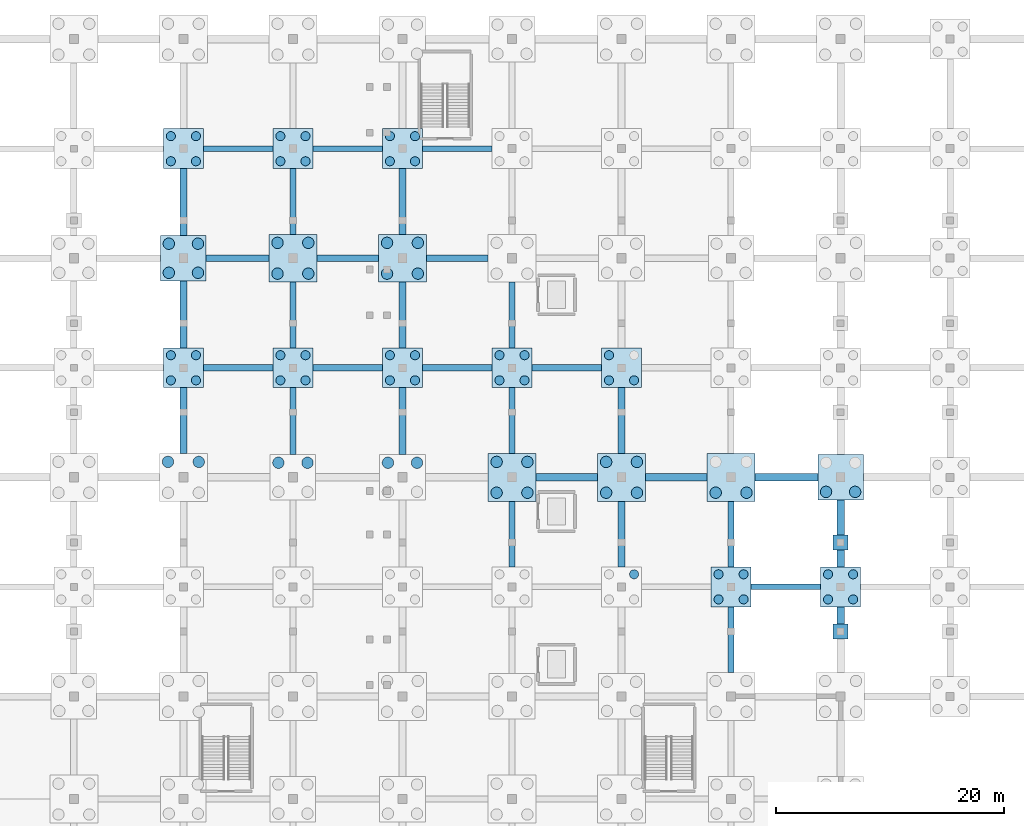
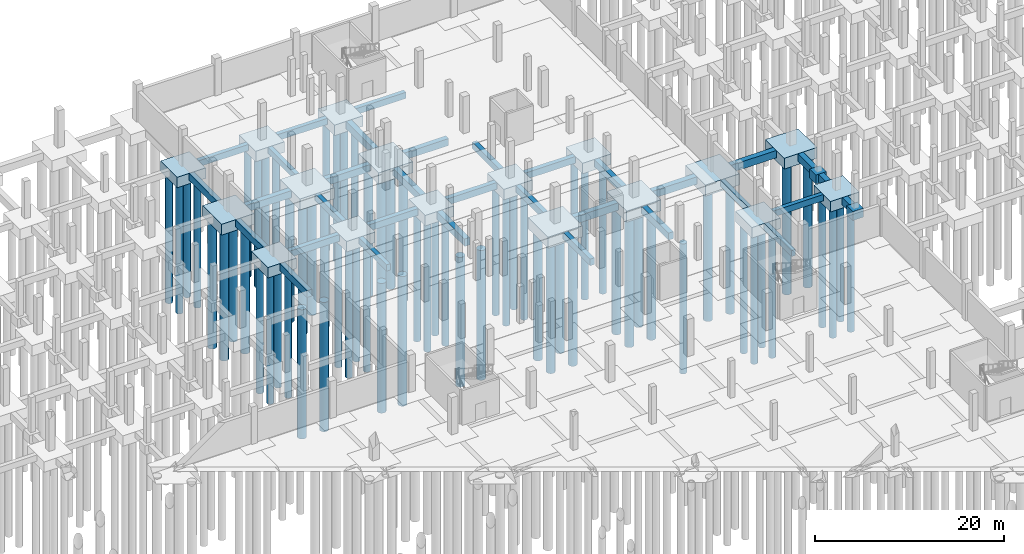
# One storey, part 10 of 39: 70 piles, 52 footings.
"""IFC4 building model written with IfcOpenShell, lengths in metres."""

from ifc_helpers import new_model, si_unit, direction, frame, origin, origin_2d, place, context, subcontext, project, spatial, polyline, rectangle, circle, outline, extrude, material, material_profile, profile_set, type_object, element, save


model = new_model("IFC4")

# Units and contexts
model_context = context("Model", 3, precision=1e-05, world=origin(), true_north=direction((0.0, 1.0)))
body_context = subcontext(model_context, "Body", "Model", "MODEL_VIEW")
ifc_project = project(units=[si_unit("LENGTHUNIT", "METRE"), si_unit("AREAUNIT", "SQUARE_METRE"), si_unit("VOLUMEUNIT", "CUBIC_METRE"), si_unit("PLANEANGLEUNIT", "RADIAN"), si_unit("MASSUNIT", "GRAM", prefix="KILO")], contexts=[model_context])

# Site, building, storey
site_placement = place(None, origin())
site = spatial("IfcSite", under=ifc_project, at=site_placement, CompositionType="ELEMENT")
building_placement = place(site_placement, origin())
building = spatial("IfcBuilding", under=site, at=building_placement, Name="Zarnetskaya Central Station", CompositionType="ELEMENT")
storey_placement = place(building_placement, frame((0.0, 0.0, -4.800048828125)))
storey = spatial("IfcBuildingStorey", under=building, at=storey_placement, Name="B1", CompositionType="ELEMENT", Elevation=-4.800048828125)

# Footings
ifc_material_1 = material(Name="Concrete C30/37", Category="concrete")
footing_type_1 = type_object("IfcFootingType", Name="FB-500x800", PredefinedType="FOOTING_BEAM", material=ifc_material_1)
footing_1_placement = place(storey_placement, frame((0.0, 0.0, -0.800048828125)))
element("IfcFooting", 1, at=footing_1_placement, inside=storey, type_object=footing_type_1, Name="Footing tie beam 10 N-P", PredefinedType="FOOTING_BEAM", context=body_context, shape_type="SweptSolid", body=[
    extrude(outline(polyline([(116.949951171875, 76.550048828125), (123.050048828125, 76.550048828125), (123.050048828125, 77.050048828125), (116.949951171875, 77.050048828125), (116.949951171875, 76.550048828125)])), origin(), (0.0, 0.0, 1.0), 0.800048828125),
])
footing_2_placement = place(storey_placement, frame((0.0, 0.0, -0.800048828125)))
element("IfcFooting", 2, at=footing_2_placement, inside=storey, type_object=footing_type_1, Name="Footing tie beam 14 H-J", PredefinedType="FOOTING_BEAM", context=body_context, shape_type="SweptSolid", body=[
    extrude(outline(polyline([(68.949951171875, 114.949951171875), (75.050048828125, 114.949951171875), (75.050048828125, 115.449951171875), (68.949951171875, 115.449951171875), (68.949951171875, 114.949951171875)])), origin(), (0.0, 0.0, 1.0), 0.800048828125),
])
footing_3_placement = place(storey_placement, frame((0.0, 0.0, -0.800048828125)))
element("IfcFooting", 3, at=footing_3_placement, inside=storey, type_object=footing_type_1, Name="Footing tie beam 14 J-K", PredefinedType="FOOTING_BEAM", context=body_context, shape_type="SweptSolid", body=[
    extrude(outline(polyline([(78.550048828125, 114.949951171875), (84.64990234375, 114.949951171875), (84.64990234375, 115.449951171875), (78.550048828125, 115.449951171875), (78.550048828125, 114.949951171875)])), origin(), (0.0, 0.0, 1.0), 0.800048828125),
])
footing_4_placement = place(storey_placement, frame((0.0, 0.0, -0.800048828125)))
element("IfcFooting", 4, at=footing_4_placement, inside=storey, type_object=footing_type_1, Name="Footing tie beam 14 K-L", PredefinedType="FOOTING_BEAM", context=body_context, shape_type="SweptSolid", body=[
    extrude(outline(polyline([(88.14990234375, 114.949951171875), (94.25, 114.949951171875), (94.25, 115.449951171875), (88.14990234375, 115.449951171875), (88.14990234375, 114.949951171875)])), origin(), (0.0, 0.0, 1.0), 0.800048828125),
])
footing_5_placement = place(storey_placement, frame((0.0, 0.0, -0.800048828125)))
element("IfcFooting", 5, at=footing_5_placement, inside=storey, type_object=footing_type_1, Name="Footing tie beam J 11-12", PredefinedType="FOOTING_BEAM", context=body_context, shape_type="SweptSolid", body=[
    extrude(outline(polyline([(76.550048828125, 88.39990234375), (77.050048828125, 88.39990234375), (77.050048828125, 94.25), (76.550048828125, 94.25), (76.550048828125, 88.39990234375)])), origin(), (0.0, 0.0, 1.0), 0.800048828125),
])
footing_6_placement = place(storey_placement, frame((0.0, 0.0, -0.800048828125)))
element("IfcFooting", 6, at=footing_6_placement, inside=storey, type_object=footing_type_1, Name="Footing tie beam J 12-13", PredefinedType="FOOTING_BEAM", context=body_context, shape_type="SweptSolid", body=[
    extrude(outline(polyline([(76.550048828125, 97.75), (77.050048828125, 97.75), (77.050048828125, 103.5), (76.550048828125, 103.5), (76.550048828125, 97.75)])), origin(), (0.0, 0.0, 1.0), 0.800048828125),
])
footing_7_placement = place(storey_placement, frame((0.0, 0.0, -0.800048828125)))
element("IfcFooting", 7, at=footing_7_placement, inside=storey, type_object=footing_type_1, Name="Footing tie beam J 13-14", PredefinedType="FOOTING_BEAM", context=body_context, shape_type="SweptSolid", body=[
    extrude(outline(polyline([(76.550048828125, 107.699951171875), (77.050048828125, 107.699951171875), (77.050048828125, 113.449951171875), (76.550048828125, 113.449951171875), (76.550048828125, 107.699951171875)])), origin(), (0.0, 0.0, 1.0), 0.800048828125),
])
footing_8_placement = place(storey_placement, frame((0.0, 0.0, -0.800048828125)))
element("IfcFooting", 8, at=footing_8_placement, inside=storey, type_object=footing_type_1, Name="Footing tie beam N 9-10", PredefinedType="FOOTING_BEAM", context=body_context, shape_type="SweptSolid", body=[
    extrude(outline(polyline([(114.949951171875, 69.300048828125), (115.449951171875, 69.300048828125), (115.449951171875, 75.050048828125), (114.949951171875, 75.050048828125), (114.949951171875, 69.300048828125)])), origin(), (0.0, 0.0, 1.0), 0.800048828125),
])
footing_9_placement = place(storey_placement, frame((0.0, 0.0, -0.800048828125)))
element("IfcFooting", 9, at=footing_9_placement, inside=storey, type_object=footing_type_1, Name="Footing tie beam N 10-11", PredefinedType="FOOTING_BEAM", context=body_context, shape_type="SweptSolid", body=[
    extrude(outline(polyline([(114.949951171875, 78.550048828125), (115.449951171875, 78.550048828125), (115.449951171875, 84.300048828125), (114.949951171875, 84.300048828125), (114.949951171875, 78.550048828125)])), origin(), (0.0, 0.0, 1.0), 0.800048828125),
])
footing_type_2 = type_object("IfcFootingType", Name="FB-550x850", PredefinedType="FOOTING_BEAM", material=ifc_material_1)
footing_10_placement = place(storey_placement, frame((0.0, 0.0, -0.849853515625)))
element("IfcFooting", 10, at=footing_10_placement, inside=storey, type_object=footing_type_2, Name="Footing tie beam 12 H-J", PredefinedType="FOOTING_BEAM", context=body_context, shape_type="SweptSolid", body=[
    extrude(outline(polyline([(68.949951171875, 95.72509765625), (75.050048828125, 95.72509765625), (75.050048828125, 96.27490234375), (68.949951171875, 96.27490234375), (68.949951171875, 95.72509765625)])), origin(), (0.0, 0.0, 1.0), 0.849853515625),
])
footing_11_placement = place(storey_placement, frame((0.0, 0.0, -0.849853515625)))
element("IfcFooting", 11, at=footing_11_placement, inside=storey, type_object=footing_type_2, Name="Footing tie beam 12 J-K", PredefinedType="FOOTING_BEAM", context=body_context, shape_type="SweptSolid", body=[
    extrude(outline(polyline([(78.550048828125, 95.72509765625), (84.64990234375, 95.72509765625), (84.64990234375, 96.27490234375), (78.550048828125, 96.27490234375), (78.550048828125, 95.72509765625)])), origin(), (0.0, 0.0, 1.0), 0.849853515625),
])
footing_12_placement = place(storey_placement, frame((0.0, 0.0, -0.849853515625)))
element("IfcFooting", 12, at=footing_12_placement, inside=storey, type_object=footing_type_2, Name="Footing tie beam 12 K-L", PredefinedType="FOOTING_BEAM", context=body_context, shape_type="SweptSolid", body=[
    extrude(outline(polyline([(88.14990234375, 95.72509765625), (94.25, 95.72509765625), (94.25, 96.27490234375), (88.14990234375, 96.27490234375), (88.14990234375, 95.72509765625)])), origin(), (0.0, 0.0, 1.0), 0.849853515625),
])
footing_13_placement = place(storey_placement, frame((0.0, 0.0, -0.849853515625)))
element("IfcFooting", 13, at=footing_13_placement, inside=storey, type_object=footing_type_2, Name="Footing tie beam 12 L-M", PredefinedType="FOOTING_BEAM", context=body_context, shape_type="SweptSolid", body=[
    extrude(outline(polyline([(97.75, 95.72509765625), (103.85009765625, 95.72509765625), (103.85009765625, 96.27490234375), (97.75, 96.27490234375), (97.75, 95.72509765625)])), origin(), (0.0, 0.0, 1.0), 0.849853515625),
])
footing_14_placement = place(storey_placement, frame((0.0, 0.0, -0.849853515625)))
element("IfcFooting", 14, at=footing_14_placement, inside=storey, type_object=footing_type_2, Name="Footing tie beam L 10-11", PredefinedType="FOOTING_BEAM", context=body_context, shape_type="SweptSolid", body=[
    extrude(outline(polyline([(95.72509765625, 78.550048828125), (96.27490234375, 78.550048828125), (96.27490234375, 84.300048828125), (95.72509765625, 84.300048828125), (95.72509765625, 78.550048828125)])), origin(), (0.0, 0.0, 1.0), 0.849853515625),
])
footing_15_placement = place(storey_placement, frame((0.0, 0.0, -0.849853515625)))
element("IfcFooting", 15, at=footing_15_placement, inside=storey, type_object=footing_type_2, Name="Footing tie beam L 11-12", PredefinedType="FOOTING_BEAM", context=body_context, shape_type="SweptSolid", body=[
    extrude(outline(polyline([(95.72509765625, 88.5), (96.27490234375, 88.5), (96.27490234375, 94.25), (95.72509765625, 94.25), (95.72509765625, 88.5)])), origin(), (0.0, 0.0, 1.0), 0.849853515625),
])
footing_16_placement = place(storey_placement, frame((0.0, 0.0, -0.849853515625)))
element("IfcFooting", 16, at=footing_16_placement, inside=storey, type_object=footing_type_2, Name="Footing tie beam L 12-13", PredefinedType="FOOTING_BEAM", context=body_context, shape_type="SweptSolid", body=[
    extrude(outline(polyline([(95.72509765625, 97.75), (96.27490234375, 97.75), (96.27490234375, 103.5), (95.72509765625, 103.5), (95.72509765625, 97.75)])), origin(), (0.0, 0.0, 1.0), 0.849853515625),
])
footing_type_3 = type_object("IfcFootingType", Name="FB-600x900", PredefinedType="FOOTING_BEAM", material=ifc_material_1)
footing_17_placement = place(storey_placement, frame((0.0, 0.0, -0.89990234375)))
element("IfcFooting", 17, at=footing_17_placement, inside=storey, type_object=footing_type_3, Name="Footing tie beam 13 H-J", PredefinedType="FOOTING_BEAM", context=body_context, shape_type="SweptSolid", body=[
    extrude(outline(polyline([(69.199951171875, 105.300048828125), (74.699951171875, 105.300048828125), (74.699951171875, 105.89990234375), (69.199951171875, 105.89990234375), (69.199951171875, 105.300048828125)])), origin(), (0.0, 0.0, 1.0), 0.89990234375),
])
footing_18_placement = place(storey_placement, frame((0.0, 0.0, -0.89990234375)))
element("IfcFooting", 18, at=footing_18_placement, inside=storey, type_object=footing_type_3, Name="Footing tie beam 13 J-K", PredefinedType="FOOTING_BEAM", context=body_context, shape_type="SweptSolid", body=[
    extrude(outline(polyline([(78.89990234375, 105.300048828125), (84.300048828125, 105.300048828125), (84.300048828125, 105.89990234375), (78.89990234375, 105.89990234375), (78.89990234375, 105.300048828125)])), origin(), (0.0, 0.0, 1.0), 0.89990234375),
])
footing_19_placement = place(storey_placement, frame((0.0, 0.0, -0.89990234375)))
element("IfcFooting", 19, at=footing_19_placement, inside=storey, type_object=footing_type_3, Name="Footing tie beam 13 K-L", PredefinedType="FOOTING_BEAM", context=body_context, shape_type="SweptSolid", body=[
    extrude(outline(polyline([(88.5, 105.300048828125), (93.89990234375, 105.300048828125), (93.89990234375, 105.89990234375), (88.5, 105.89990234375), (88.5, 105.300048828125)])), origin(), (0.0, 0.0, 1.0), 0.89990234375),
])
footing_20_placement = place(storey_placement, frame((0.0, 0.0, -0.89990234375)))
element("IfcFooting", 20, at=footing_20_placement, inside=storey, type_object=footing_type_3, Name="Footing tie beam H 11-12", PredefinedType="FOOTING_BEAM", context=body_context, shape_type="SweptSolid", body=[
    extrude(outline(polyline([(66.89990234375, 88.5), (67.5, 88.5), (67.5, 94.25), (66.89990234375, 94.25), (66.89990234375, 88.5)])), origin(), (0.0, 0.0, 1.0), 0.89990234375),
])
footing_21_placement = place(storey_placement, frame((0.0, 0.0, -0.89990234375)))
element("IfcFooting", 21, at=footing_21_placement, inside=storey, type_object=footing_type_3, Name="Footing tie beam H 12-13", PredefinedType="FOOTING_BEAM", context=body_context, shape_type="SweptSolid", body=[
    extrude(outline(polyline([(66.89990234375, 97.75), (67.5, 97.75), (67.5, 103.60009765625), (66.89990234375, 103.60009765625), (66.89990234375, 97.75)])), origin(), (0.0, 0.0, 1.0), 0.89990234375),
])
footing_22_placement = place(storey_placement, frame((0.0, 0.0, -0.89990234375)))
element("IfcFooting", 22, at=footing_22_placement, inside=storey, type_object=footing_type_3, Name="Footing tie beam H 13-14", PredefinedType="FOOTING_BEAM", context=body_context, shape_type="SweptSolid", body=[
    extrude(outline(polyline([(66.89990234375, 107.60009765625), (67.5, 107.60009765625), (67.5, 113.449951171875), (66.89990234375, 113.449951171875), (66.89990234375, 107.60009765625)])), origin(), (0.0, 0.0, 1.0), 0.89990234375),
])
footing_23_placement = place(storey_placement, frame((0.0, 0.0, -0.89990234375)))
element("IfcFooting", 23, at=footing_23_placement, inside=storey, type_object=footing_type_3, Name="Footing tie beam M 10-11", PredefinedType="FOOTING_BEAM", context=body_context, shape_type="SweptSolid", body=[
    extrude(outline(polyline([(105.300048828125, 78.550048828125), (105.89990234375, 78.550048828125), (105.89990234375, 84.300048828125), (105.300048828125, 84.300048828125), (105.300048828125, 78.550048828125)])), origin(), (0.0, 0.0, 1.0), 0.89990234375),
])
footing_24_placement = place(storey_placement, frame((0.0, 0.0, -0.89990234375)))
element("IfcFooting", 24, at=footing_24_placement, inside=storey, type_object=footing_type_3, Name="Footing tie beam M 11-12", PredefinedType="FOOTING_BEAM", context=body_context, shape_type="SweptSolid", body=[
    extrude(outline(polyline([(105.300048828125, 88.5), (105.89990234375, 88.5), (105.89990234375, 94.25), (105.300048828125, 94.25), (105.300048828125, 88.5)])), origin(), (0.0, 0.0, 1.0), 0.89990234375),
])
footing_type_4 = type_object("IfcFootingType", Name="FB-650x950", PredefinedType="FOOTING_BEAM", material=ifc_material_1)
footing_25_placement = place(storey_placement, frame((0.0, 0.0, -0.949951171875)))
element("IfcFooting", 25, at=footing_25_placement, inside=storey, type_object=footing_type_4, Name="Footing tie beam 11 L-M", PredefinedType="FOOTING_BEAM", context=body_context, shape_type="SweptSolid", body=[
    extrude(outline(polyline([(98.10009765625, 86.074951171875), (103.5, 86.074951171875), (103.5, 86.72509765625), (98.10009765625, 86.72509765625), (98.10009765625, 86.074951171875)])), origin(), (0.0, 0.0, 1.0), 0.949951171875),
])
footing_26_placement = place(storey_placement, frame((0.0, 0.0, -0.949951171875)))
element("IfcFooting", 26, at=footing_26_placement, inside=storey, type_object=footing_type_4, Name="Footing tie beam 11 M-N", PredefinedType="FOOTING_BEAM", context=body_context, shape_type="SweptSolid", body=[
    extrude(outline(polyline([(107.699951171875, 86.074951171875), (113.10009765625, 86.074951171875), (113.10009765625, 86.72509765625), (107.699951171875, 86.72509765625), (107.699951171875, 86.074951171875)])), origin(), (0.0, 0.0, 1.0), 0.949951171875),
])
footing_27_placement = place(storey_placement, frame((0.0, 0.0, -0.949951171875)))
element("IfcFooting", 27, at=footing_27_placement, inside=storey, type_object=footing_type_4, Name="Footing tie beam 11 N-P", PredefinedType="FOOTING_BEAM", context=body_context, shape_type="SweptSolid", body=[
    extrude(outline(polyline([(117.300048828125, 86.074951171875), (122.800048828125, 86.074951171875), (122.800048828125, 86.72509765625), (117.300048828125, 86.72509765625), (117.300048828125, 86.074951171875)])), origin(), (0.0, 0.0, 1.0), 0.949951171875),
])
footing_28_placement = place(storey_placement, frame((0.0, 0.0, -0.949951171875)))
element("IfcFooting", 28, at=footing_28_placement, inside=storey, type_object=footing_type_4, Name="Footing tie beam K 11-12", PredefinedType="FOOTING_BEAM", context=body_context, shape_type="SweptSolid", body=[
    extrude(outline(polyline([(86.074951171875, 88.39990234375), (86.72509765625, 88.39990234375), (86.72509765625, 94.25), (86.074951171875, 94.25), (86.074951171875, 88.39990234375)])), origin(), (0.0, 0.0, 1.0), 0.949951171875),
])
footing_29_placement = place(storey_placement, frame((0.0, 0.0, -0.949951171875)))
element("IfcFooting", 29, at=footing_29_placement, inside=storey, type_object=footing_type_4, Name="Footing tie beam K 12-13", PredefinedType="FOOTING_BEAM", context=body_context, shape_type="SweptSolid", body=[
    extrude(outline(polyline([(86.074951171875, 97.75), (86.72509765625, 97.75), (86.72509765625, 103.5), (86.074951171875, 103.5), (86.074951171875, 97.75)])), origin(), (0.0, 0.0, 1.0), 0.949951171875),
])
footing_30_placement = place(storey_placement, frame((0.0, 0.0, -0.949951171875)))
element("IfcFooting", 30, at=footing_30_placement, inside=storey, type_object=footing_type_4, Name="Footing tie beam K 13-14", PredefinedType="FOOTING_BEAM", context=body_context, shape_type="SweptSolid", body=[
    extrude(outline(polyline([(86.074951171875, 107.699951171875), (86.72509765625, 107.699951171875), (86.72509765625, 113.449951171875), (86.074951171875, 113.449951171875), (86.074951171875, 107.699951171875)])), origin(), (0.0, 0.0, 1.0), 0.949951171875),
])
footing_31_placement = place(storey_placement, frame((0.0, 0.0, -0.949951171875)))
element("IfcFooting", 31, at=footing_31_placement, inside=storey, type_object=footing_type_4, Name="Footing tie beam P 9-10 part 2", PredefinedType="FOOTING_BEAM", context=body_context, shape_type="SweptSolid", body=[
    extrude(outline(polyline([(124.47509765625, 73.550048828125), (125.125, 73.550048828125), (125.125, 75.050048828125), (124.47509765625, 75.050048828125), (124.47509765625, 73.550048828125)])), origin(), (0.0, 0.0, 1.0), 0.949951171875),
])
footing_32_placement = place(storey_placement, frame((0.0, 0.0, -0.949951171875)))
element("IfcFooting", 32, at=footing_32_placement, inside=storey, type_object=footing_type_4, Name="Footing tie beam P 10-11 part 1", PredefinedType="FOOTING_BEAM", context=body_context, shape_type="SweptSolid", body=[
    extrude(outline(polyline([(124.47509765625, 78.550048828125), (125.125, 78.550048828125), (125.125, 80.050048828125), (124.47509765625, 80.050048828125), (124.47509765625, 78.550048828125)])), origin(), (0.0, 0.0, 1.0), 0.949951171875),
])
footing_33_placement = place(storey_placement, frame((0.0, 0.0, -0.949951171875)))
element("IfcFooting", 33, at=footing_33_placement, inside=storey, type_object=footing_type_4, Name="Footing tie beam P 10-11 part 2", PredefinedType="FOOTING_BEAM", context=body_context, shape_type="SweptSolid", body=[
    extrude(outline(polyline([(124.47509765625, 81.35009765625), (125.125, 81.35009765625), (125.125, 84.39990234375), (124.47509765625, 84.39990234375), (124.47509765625, 81.35009765625)])), origin(), (0.0, 0.0, 1.0), 0.949951171875),
])
ifc_material_2 = material(Name="Concrete C35/45", Category="concrete")
footing_type_5 = type_object("IfcFootingType", Name="PAD-PIER-130", PredefinedType="PAD_FOOTING", material=ifc_material_2)
for number, where, z_axis, x_axis, name in (
    (34, (124.800048828125, 72.89990234375, -1.14990234375), (0.0, 0.0, 1.0), (1.0, 0.0, 0.0), "Platform pier pad P1-PN"),
    (35, (124.800048828125, 80.699951171875, -1.14990234375), (0.0, 0.0, 1.0), (1.0, 0.0, 0.0), "Platform pier pad P2-PS"),
):
    element("IfcFooting", number, at=place(storey_placement, frame(where, z_axis=z_axis, x_axis=x_axis)), inside=storey, type_object=footing_type_5, Name=name, PredefinedType="PAD_FOOTING", context=body_context, shape_type="SweptSolid", body=[
        extrude(rectangle(XDim=1.300048828125, YDim=1.300048828125, at=origin_2d()), origin(), (0.0, 0.0, 1.0), 1.14990234375),
    ])
footing_type_6 = type_object("IfcFootingType", Name="PC-4P-1000A", PredefinedType="PILE_CAP", material=ifc_material_2)
for number, where, z_axis, x_axis, name in (
    (36, (76.800048828125, 105.60009765625, -1.44970703125), (0.0, 0.0, 1.0), (1.0, 0.0, 0.0), "Pile cap J13"),
    (37, (86.39990234375, 105.60009765625, -1.44970703125), (0.0, 0.0, 1.0), (1.0, 0.0, 0.0), "Pile cap K13"),
    (38, (96.0, 86.39990234375, -1.44970703125), (0.0, 0.0, 1.0), (1.0, 0.0, 0.0), "Pile cap L11"),
    (39, (105.60009765625, 86.39990234375, -1.44970703125), (0.0, 0.0, 1.0), (1.0, 0.0, 0.0), "Pile cap M11"),
    (40, (115.199951171875, 86.39990234375, -1.44970703125), (0.0, 0.0, 1.0), (1.0, 0.0, 0.0), "Pile cap N11"),
):
    element("IfcFooting", number, at=place(storey_placement, frame(where, z_axis=z_axis, x_axis=x_axis)), inside=storey, type_object=footing_type_6, Name=name, PredefinedType="PILE_CAP", context=body_context, shape_type="SweptSolid", body=[
        extrude(rectangle(XDim=4.199951171875, YDim=4.199951171875, at=origin_2d()), origin(), (0.0, 0.0, 1.0), 1.449951171875),
    ])
footing_type_7 = type_object("IfcFootingType", Name="PC-4P-1000B", PredefinedType="PILE_CAP", material=ifc_material_2)
for number, where, z_axis, x_axis, name in (
    (41, (67.199951171875, 105.60009765625, -1.39990234375), (0.0, 0.0, 1.0), (1.0, 0.0, 0.0), "Pile cap H13"),
    (42, (124.800048828125, 86.39990234375, -1.39990234375), (0.0, 0.0, 1.0), (1.0, 0.0, 0.0), "Pile cap P11"),
):
    element("IfcFooting", number, at=place(storey_placement, frame(where, z_axis=z_axis, x_axis=x_axis)), inside=storey, type_object=footing_type_7, Name=name, PredefinedType="PILE_CAP", context=body_context, shape_type="SweptSolid", body=[
        extrude(rectangle(XDim=4.0, YDim=4.0, at=origin_2d()), origin(), (0.0, 0.0, 1.0), 1.39990234375),
    ])
footing_type_8 = type_object("IfcFootingType", Name="PC-4P-800A", PredefinedType="PILE_CAP", material=ifc_material_2)
for number, where, z_axis, x_axis, name in (
    (43, (67.199951171875, 96.0, -1.35009765625), (0.0, 0.0, 1.0), (1.0, 0.0, 0.0), "Pile cap H12"),
    (44, (67.199951171875, 115.199951171875, -1.35009765625), (0.0, 0.0, 1.0), (1.0, 0.0, 0.0), "Pile cap H14"),
    (45, (76.800048828125, 96.0, -1.35009765625), (0.0, 0.0, 1.0), (1.0, 0.0, 0.0), "Pile cap J12"),
    (46, (76.800048828125, 115.199951171875, -1.35009765625), (0.0, 0.0, 1.0), (1.0, 0.0, 0.0), "Pile cap J14"),
    (47, (86.39990234375, 96.0, -1.35009765625), (0.0, 0.0, 1.0), (1.0, 0.0, 0.0), "Pile cap K12"),
    (48, (86.39990234375, 115.199951171875, -1.35009765625), (0.0, 0.0, 1.0), (1.0, 0.0, 0.0), "Pile cap K14"),
    (49, (96.0, 96.0, -1.35009765625), (0.0, 0.0, 1.0), (1.0, 0.0, 0.0), "Pile cap L12"),
    (50, (105.60009765625, 96.0, -1.35009765625), (0.0, 0.0, 1.0), (1.0, 0.0, 0.0), "Pile cap M12"),
    (51, (115.199951171875, 76.800048828125, -1.35009765625), (0.0, 0.0, 1.0), (1.0, 0.0, 0.0), "Pile cap N10"),
    (52, (124.800048828125, 76.800048828125, -1.35009765625), (0.0, 0.0, 1.0), (1.0, 0.0, 0.0), "Pile cap P10"),
):
    element("IfcFooting", number, at=place(storey_placement, frame(where, z_axis=z_axis, x_axis=x_axis)), inside=storey, type_object=footing_type_8, Name=name, PredefinedType="PILE_CAP", context=body_context, shape_type="SweptSolid", body=[
        extrude(rectangle(XDim=3.5, YDim=3.5, at=origin_2d()), origin(), (0.0, 0.0, 1.0), 1.35009765625),
    ])

# Piles
ifc_material_profile_1 = material_profile(ifc_material_2, circle(Radius=0.5, at=origin_2d()), Name="BORED PILE D1000")
ifc_profile_set_1 = profile_set([ifc_material_profile_1], Name="Concrete C35/45")
pile_type_1 = type_object("IfcPileType", Name="PILE-D1000", PredefinedType="BORED", material=ifc_profile_set_1)
for number, where, z_axis, x_axis, name in (
    (53, (65.85009765625, 87.75, -1.300048828125), (0.0, 0.0, -1.0), (1.0, 0.0, 0.0), "Bored pile H11-12"),
    (54, (68.550048828125, 87.75, -1.300048828125), (0.0, 0.0, -1.0), (1.0, 0.0, 0.0), "Bored pile H11-22"),
):
    element("IfcPile", number, at=place(storey_placement, frame(where, z_axis=z_axis, x_axis=x_axis)), inside=storey, type_object=pile_type_1, Name=name, PredefinedType="BORED", context=body_context, shape_type="SweptSolid", body=[
        extrude(circle(Radius=0.5, at=origin_2d()), origin(), (0.0, 0.0, 1.0), 16.699951171875),
    ])
for number, where, z_axis, x_axis, name in (
    (55, (65.925048828125, 104.324951171875, -1.25), (0.0, 0.0, -1.0), (1.0, 0.0, 0.0), "Bored pile H13-11"),
    (56, (65.925048828125, 106.875, -1.25), (0.0, 0.0, -1.0), (1.0, 0.0, 0.0), "Bored pile H13-12"),
    (57, (68.47509765625, 104.324951171875, -1.25), (0.0, 0.0, -1.0), (1.0, 0.0, 0.0), "Bored pile H13-21"),
    (58, (68.47509765625, 106.875, -1.25), (0.0, 0.0, -1.0), (1.0, 0.0, 0.0), "Bored pile H13-22"),
    (59, (75.52490234375, 87.675048828125, -1.25), (0.0, 0.0, -1.0), (1.0, 0.0, 0.0), "Bored pile J11-12"),
    (60, (78.074951171875, 87.675048828125, -1.25), (0.0, 0.0, -1.0), (1.0, 0.0, 0.0), "Bored pile J11-22"),
):
    element("IfcPile", number, at=place(storey_placement, frame(where, z_axis=z_axis, x_axis=x_axis)), inside=storey, type_object=pile_type_1, Name=name, PredefinedType="BORED", context=body_context, shape_type="SweptSolid", body=[
        extrude(circle(Radius=0.5, at=origin_2d()), origin(), (0.0, 0.0, 1.0), 16.75),
    ])
for number, where, z_axis, x_axis, name in (
    (61, (75.449951171875, 104.25, -1.300048828125), (0.0, 0.0, -1.0), (1.0, 0.0, 0.0), "Bored pile J13-11"),
    (62, (75.449951171875, 106.949951171875, -1.300048828125), (0.0, 0.0, -1.0), (1.0, 0.0, 0.0), "Bored pile J13-12"),
    (63, (78.14990234375, 104.25, -1.300048828125), (0.0, 0.0, -1.0), (1.0, 0.0, 0.0), "Bored pile J13-21"),
    (64, (78.14990234375, 106.949951171875, -1.300048828125), (0.0, 0.0, -1.0), (1.0, 0.0, 0.0), "Bored pile J13-22"),
):
    element("IfcPile", number, at=place(storey_placement, frame(where, z_axis=z_axis, x_axis=x_axis)), inside=storey, type_object=pile_type_1, Name=name, PredefinedType="BORED", context=body_context, shape_type="SweptSolid", body=[
        extrude(circle(Radius=0.5, at=origin_2d()), origin(), (0.0, 0.0, 1.0), 16.699951171875),
    ])
for number, where, z_axis, x_axis, name in (
    (65, (85.125, 87.675048828125, -1.25), (0.0, 0.0, -1.0), (1.0, 0.0, 0.0), "Bored pile K11-12"),
    (66, (87.675048828125, 87.675048828125, -1.25), (0.0, 0.0, -1.0), (1.0, 0.0, 0.0), "Bored pile K11-22"),
):
    element("IfcPile", number, at=place(storey_placement, frame(where, z_axis=z_axis, x_axis=x_axis)), inside=storey, type_object=pile_type_1, Name=name, PredefinedType="BORED", context=body_context, shape_type="SweptSolid", body=[
        extrude(circle(Radius=0.5, at=origin_2d()), origin(), (0.0, 0.0, 1.0), 16.75),
    ])
for number, where, z_axis, x_axis, name in (
    (67, (85.050048828125, 104.25, -1.300048828125), (0.0, 0.0, -1.0), (1.0, 0.0, 0.0), "Bored pile K13-11"),
    (68, (85.050048828125, 106.949951171875, -1.300048828125), (0.0, 0.0, -1.0), (1.0, 0.0, 0.0), "Bored pile K13-12"),
    (69, (87.75, 104.25, -1.300048828125), (0.0, 0.0, -1.0), (1.0, 0.0, 0.0), "Bored pile K13-21"),
    (70, (87.75, 106.949951171875, -1.300048828125), (0.0, 0.0, -1.0), (1.0, 0.0, 0.0), "Bored pile K13-22"),
    (71, (94.64990234375, 85.050048828125, -1.300048828125), (0.0, 0.0, -1.0), (1.0, 0.0, 0.0), "Bored pile L11-11"),
    (72, (94.64990234375, 87.75, -1.300048828125), (0.0, 0.0, -1.0), (1.0, 0.0, 0.0), "Bored pile L11-12"),
    (73, (97.35009765625, 85.050048828125, -1.300048828125), (0.0, 0.0, -1.0), (1.0, 0.0, 0.0), "Bored pile L11-21"),
    (74, (97.35009765625, 87.75, -1.300048828125), (0.0, 0.0, -1.0), (1.0, 0.0, 0.0), "Bored pile L11-22"),
    (75, (104.25, 85.050048828125, -1.300048828125), (0.0, 0.0, -1.0), (1.0, 0.0, 0.0), "Bored pile M11-11"),
    (76, (104.25, 87.75, -1.300048828125), (0.0, 0.0, -1.0), (1.0, 0.0, 0.0), "Bored pile M11-12"),
    (77, (106.949951171875, 85.050048828125, -1.300048828125), (0.0, 0.0, -1.0), (1.0, 0.0, 0.0), "Bored pile M11-21"),
    (78, (106.949951171875, 87.75, -1.300048828125), (0.0, 0.0, -1.0), (1.0, 0.0, 0.0), "Bored pile M11-22"),
    (79, (113.85009765625, 85.050048828125, -1.300048828125), (0.0, 0.0, -1.0), (1.0, 0.0, 0.0), "Bored pile N11-11"),
    (80, (116.550048828125, 85.050048828125, -1.300048828125), (0.0, 0.0, -1.0), (1.0, 0.0, 0.0), "Bored pile N11-21"),
):
    element("IfcPile", number, at=place(storey_placement, frame(where, z_axis=z_axis, x_axis=x_axis)), inside=storey, type_object=pile_type_1, Name=name, PredefinedType="BORED", context=body_context, shape_type="SweptSolid", body=[
        extrude(circle(Radius=0.5, at=origin_2d()), origin(), (0.0, 0.0, 1.0), 16.699951171875),
    ])
for number, where, z_axis, x_axis, name in (
    (81, (123.52490234375, 85.125, -1.25), (0.0, 0.0, -1.0), (1.0, 0.0, 0.0), "Bored pile P11-11"),
    (82, (126.074951171875, 85.125, -1.25), (0.0, 0.0, -1.0), (1.0, 0.0, 0.0), "Bored pile P11-21"),
):
    element("IfcPile", number, at=place(storey_placement, frame(where, z_axis=z_axis, x_axis=x_axis)), inside=storey, type_object=pile_type_1, Name=name, PredefinedType="BORED", context=body_context, shape_type="SweptSolid", body=[
        extrude(circle(Radius=0.5, at=origin_2d()), origin(), (0.0, 0.0, 1.0), 16.75),
    ])
ifc_material_profile_2 = material_profile(ifc_material_2, circle(Radius=0.39990234375, at=origin_2d()), Name="BORED PILE D800")
ifc_profile_set_2 = profile_set([ifc_material_profile_2], Name="Concrete C35/45")
pile_type_2 = type_object("IfcPileType", Name="PILE-D800", PredefinedType="BORED", material=ifc_profile_set_2)
for number, where, z_axis, x_axis, name in (
    (83, (66.10009765625, 94.89990234375, -1.199951171875), (0.0, 0.0, -1.0), (1.0, 0.0, 0.0), "Bored pile H12-11"),
    (84, (66.10009765625, 97.10009765625, -1.199951171875), (0.0, 0.0, -1.0), (1.0, 0.0, 0.0), "Bored pile H12-12"),
    (85, (68.300048828125, 94.89990234375, -1.199951171875), (0.0, 0.0, -1.0), (1.0, 0.0, 0.0), "Bored pile H12-21"),
    (86, (68.300048828125, 97.10009765625, -1.199951171875), (0.0, 0.0, -1.0), (1.0, 0.0, 0.0), "Bored pile H12-22"),
    (87, (66.10009765625, 114.10009765625, -1.199951171875), (0.0, 0.0, -1.0), (1.0, 0.0, 0.0), "Bored pile H14-11"),
    (88, (66.10009765625, 116.300048828125, -1.199951171875), (0.0, 0.0, -1.0), (1.0, 0.0, 0.0), "Bored pile H14-12"),
    (89, (68.300048828125, 114.10009765625, -1.199951171875), (0.0, 0.0, -1.0), (1.0, 0.0, 0.0), "Bored pile H14-21"),
    (90, (68.300048828125, 116.300048828125, -1.199951171875), (0.0, 0.0, -1.0), (1.0, 0.0, 0.0), "Bored pile H14-22"),
    (91, (75.699951171875, 94.89990234375, -1.199951171875), (0.0, 0.0, -1.0), (1.0, 0.0, 0.0), "Bored pile J12-11"),
    (92, (75.699951171875, 97.10009765625, -1.199951171875), (0.0, 0.0, -1.0), (1.0, 0.0, 0.0), "Bored pile J12-12"),
    (93, (77.89990234375, 94.89990234375, -1.199951171875), (0.0, 0.0, -1.0), (1.0, 0.0, 0.0), "Bored pile J12-21"),
    (94, (77.89990234375, 97.10009765625, -1.199951171875), (0.0, 0.0, -1.0), (1.0, 0.0, 0.0), "Bored pile J12-22"),
    (95, (75.699951171875, 114.10009765625, -1.199951171875), (0.0, 0.0, -1.0), (1.0, 0.0, 0.0), "Bored pile J14-11"),
    (96, (75.699951171875, 116.300048828125, -1.199951171875), (0.0, 0.0, -1.0), (1.0, 0.0, 0.0), "Bored pile J14-12"),
    (97, (77.89990234375, 114.10009765625, -1.199951171875), (0.0, 0.0, -1.0), (1.0, 0.0, 0.0), "Bored pile J14-21"),
    (98, (77.89990234375, 116.300048828125, -1.199951171875), (0.0, 0.0, -1.0), (1.0, 0.0, 0.0), "Bored pile J14-22"),
    (99, (85.300048828125, 94.89990234375, -1.199951171875), (0.0, 0.0, -1.0), (1.0, 0.0, 0.0), "Bored pile K12-11"),
    (100, (85.300048828125, 97.10009765625, -1.199951171875), (0.0, 0.0, -1.0), (1.0, 0.0, 0.0), "Bored pile K12-12"),
    (101, (87.5, 94.89990234375, -1.199951171875), (0.0, 0.0, -1.0), (1.0, 0.0, 0.0), "Bored pile K12-21"),
    (102, (87.5, 97.10009765625, -1.199951171875), (0.0, 0.0, -1.0), (1.0, 0.0, 0.0), "Bored pile K12-22"),
    (103, (85.300048828125, 114.10009765625, -1.199951171875), (0.0, 0.0, -1.0), (1.0, 0.0, 0.0), "Bored pile K14-11"),
    (104, (85.300048828125, 116.300048828125, -1.199951171875), (0.0, 0.0, -1.0), (1.0, 0.0, 0.0), "Bored pile K14-12"),
    (105, (87.5, 114.10009765625, -1.199951171875), (0.0, 0.0, -1.0), (1.0, 0.0, 0.0), "Bored pile K14-21"),
    (106, (87.5, 116.300048828125, -1.199951171875), (0.0, 0.0, -1.0), (1.0, 0.0, 0.0), "Bored pile K14-22"),
    (107, (94.89990234375, 94.89990234375, -1.199951171875), (0.0, 0.0, -1.0), (1.0, 0.0, 0.0), "Bored pile L12-11"),
    (108, (94.89990234375, 97.10009765625, -1.199951171875), (0.0, 0.0, -1.0), (1.0, 0.0, 0.0), "Bored pile L12-12"),
    (109, (97.10009765625, 94.89990234375, -1.199951171875), (0.0, 0.0, -1.0), (1.0, 0.0, 0.0), "Bored pile L12-21"),
    (110, (97.10009765625, 97.10009765625, -1.199951171875), (0.0, 0.0, -1.0), (1.0, 0.0, 0.0), "Bored pile L12-22"),
    (111, (106.699951171875, 77.89990234375, -1.199951171875), (0.0, 0.0, -1.0), (1.0, 0.0, 0.0), "Bored pile M10-22"),
    (112, (104.5, 94.89990234375, -1.199951171875), (0.0, 0.0, -1.0), (1.0, 0.0, 0.0), "Bored pile M12-11"),
    (113, (104.5, 97.10009765625, -1.199951171875), (0.0, 0.0, -1.0), (1.0, 0.0, 0.0), "Bored pile M12-12"),
    (114, (106.699951171875, 94.89990234375, -1.199951171875), (0.0, 0.0, -1.0), (1.0, 0.0, 0.0), "Bored pile M12-21"),
    (115, (114.10009765625, 75.699951171875, -1.199951171875), (0.0, 0.0, -1.0), (1.0, 0.0, 0.0), "Bored pile N10-11"),
    (116, (114.10009765625, 77.89990234375, -1.199951171875), (0.0, 0.0, -1.0), (1.0, 0.0, 0.0), "Bored pile N10-12"),
    (117, (116.300048828125, 75.699951171875, -1.199951171875), (0.0, 0.0, -1.0), (1.0, 0.0, 0.0), "Bored pile N10-21"),
    (118, (116.300048828125, 77.89990234375, -1.199951171875), (0.0, 0.0, -1.0), (1.0, 0.0, 0.0), "Bored pile N10-22"),
    (119, (123.699951171875, 75.699951171875, -1.199951171875), (0.0, 0.0, -1.0), (1.0, 0.0, 0.0), "Bored pile P10-11"),
    (120, (123.699951171875, 77.89990234375, -1.199951171875), (0.0, 0.0, -1.0), (1.0, 0.0, 0.0), "Bored pile P10-12"),
    (121, (125.89990234375, 75.699951171875, -1.199951171875), (0.0, 0.0, -1.0), (1.0, 0.0, 0.0), "Bored pile P10-21"),
    (122, (125.89990234375, 77.89990234375, -1.199951171875), (0.0, 0.0, -1.0), (1.0, 0.0, 0.0), "Bored pile P10-22"),
):
    element("IfcPile", number, at=place(storey_placement, frame(where, z_axis=z_axis, x_axis=x_axis)), inside=storey, type_object=pile_type_2, Name=name, PredefinedType="BORED", context=body_context, shape_type="SweptSolid", body=[
        extrude(circle(Radius=0.39990234375, at=origin_2d()), origin(), (0.0, 0.0, 1.0), 16.800048828125),
    ])

save(model, "model.ifc")
